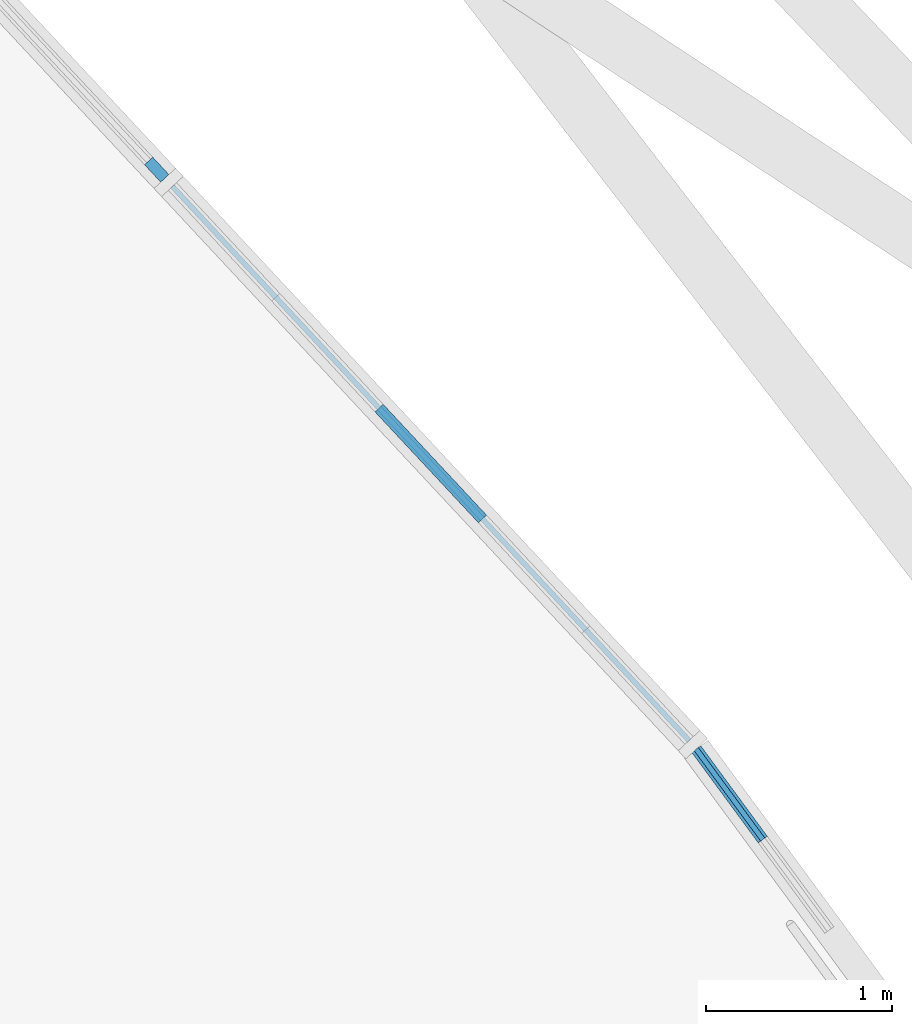
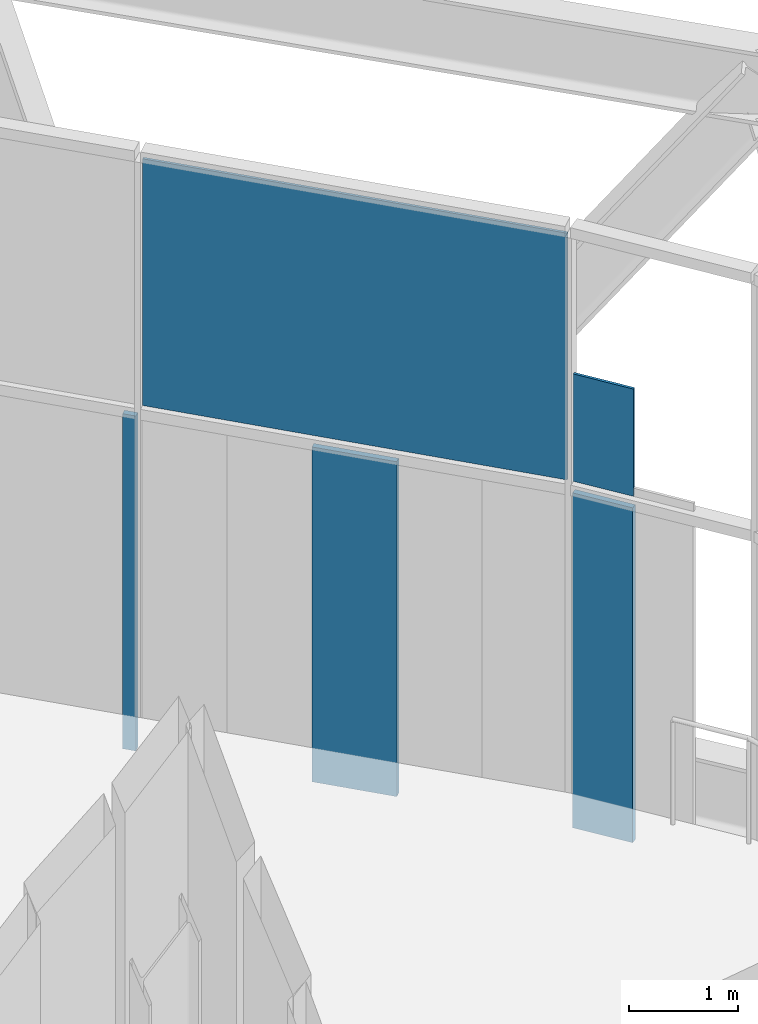
# One storey, part 14 of 25: 5 plates, 2 elements without a shape of their own.
"""IFC4 building model written with IfcOpenShell, lengths in metres."""

from ifc_helpers import new_model, si_unit, direction, frame, origin, origin_2d, place, context, subcontext, project, spatial, rectangle, extrude, material, layer, layer_set, type_object, element, aggregate, save


model = new_model("IFC4")

# Units and contexts
model_context = context("Model", 3, precision=1e-05, world=origin(), true_north=direction((0.0, 1.0)))
body_context = subcontext(model_context, "Body", "Model", "MODEL_VIEW")
ifc_project = project(units=[si_unit("LENGTHUNIT", "METRE"), si_unit("AREAUNIT", "SQUARE_METRE"), si_unit("VOLUMEUNIT", "CUBIC_METRE"), si_unit("PLANEANGLEUNIT", "RADIAN"), si_unit("MASSUNIT", "GRAM", prefix="KILO")], contexts=[model_context])

# Site, building, storey
site_placement = place(None, origin())
site = spatial("IfcSite", under=ifc_project, at=site_placement, CompositionType="ELEMENT")
building_placement = place(site_placement, origin())
building = spatial("IfcBuilding", under=site, at=building_placement, Name="Spindle Arch Residences", CompositionType="ELEMENT")
storey_placement = place(building_placement, frame((0.0, 0.0, 144.89990234375)))
storey = spatial("IfcBuildingStorey", under=building, at=storey_placement, Name="L36", CompositionType="ELEMENT", Elevation=144.89990234375)

# Curtain wall, plates
ifc_material_1 = material(Name="Aluminium bronze unitised frame with tinted glass", Category="aluminium")
ifc_layer_1 = layer(ifc_material_1, 0.159912109375)
ifc_layer_set_1 = layer_set([ifc_layer_1], Name="CW-E double-height winter garden wall")
curtain_wall_type = type_object("IfcCurtainWallType", Name="CW-E double-height winter garden wall", PredefinedType="NOTDEFINED", material=ifc_layer_set_1)
curtain_wall_1_placement = place(storey_placement, origin())
curtain_wall_1 = element("IfcCurtainWall", 1, at=curtain_wall_1_placement, inside=storey, type_object=curtain_wall_type, Name="CW-E L36 run 1", PredefinedType="NOTDEFINED")
ifc_material_2 = material(Name="Tinted laminated glass 28 mm", Category="glass")
ifc_layer_2 = layer(ifc_material_2, 0.028076171875)
ifc_layer_set_2 = layer_set([ifc_layer_2], Name="Tinted glass panel 28 mm")
plate_type_1 = type_object("IfcPlateType", Name="Tinted glass panel 28 mm", PredefinedType="CURTAIN_PANEL", material=ifc_layer_set_2)
plate_1_placement = place(storey_placement, frame((26.9365234375, -1.125732421875, 3.4599609375), z_axis=(0.0, 0.0, 1.0), x_axis=(-0.592481951039, 0.805583724819, 0.0)))
plate_1 = element("IfcPlate", 2, at=plate_1_placement, type_object=plate_type_1, Name="CW-E panel 05b.2", PredefinedType="CURTAIN_PANEL", context=body_context, shape_type="SweptSolid", body=[
    extrude(rectangle(XDim=0.60546875, YDim=0.028076171875, at=origin_2d()), origin(), (0.0, 0.0, 1.0), 1.204833984375),
])
plate_2_placement = place(storey_placement, frame((25.326416015625, 0.6572265625, 3.460205078125), z_axis=(0.0, 0.0, 1.0), x_axis=(-0.681998360062, 0.731353701619, 0.0)))
plate_2 = element("IfcPlate", 3, at=plate_2_placement, type_object=plate_type_1, Name="CW-E unit 06b", PredefinedType="CURTAIN_PANEL", context=body_context, shape_type="SweptSolid", body=[
    extrude(rectangle(XDim=4.08349609375, YDim=0.028076171875, at=origin_2d()), origin(), (0.0, 0.0, 1.0), 2.77001953125),
])
ifc_material_3 = material(Name="Tinted double glazing over aluminium faced non-combustible spandrel zone (K0)", Category="aluminium")
ifc_layer_3 = layer(ifc_material_3, 0.06005859375)
ifc_layer_set_3 = layer_set([ifc_layer_3], Name="Unitised glass panel with E 60 spandrel zone")
plate_type_2 = type_object("IfcPlateType", Name="Unitised glass panel with E 60 spandrel zone", PredefinedType="CURTAIN_PANEL", material=ifc_layer_set_3)
plate_3_placement = place(storey_placement, frame((26.9365234375, -1.125732421875, -0.419921875), z_axis=(0.0, 0.0, 1.0), x_axis=(-0.592481951039, 0.805583724819, 0.0)))
plate_3 = element("IfcPlate", 4, at=plate_3_placement, type_object=plate_type_2, Name="CW-E panel 05a.2", PredefinedType="CURTAIN_PANEL", context=body_context, shape_type="SweptSolid", body=[
    extrude(rectangle(XDim=0.60546875, YDim=0.06005859375, at=origin_2d()), origin(), (0.0, 0.0, 1.0), 3.760009765625),
])
plate_4_placement = place(storey_placement, frame((25.326416015625, 0.6572265625, -0.419921875), z_axis=(0.0, 0.0, 1.0), x_axis=(-0.681998360062, 0.731353701619, 0.0)))
plate_4 = element("IfcPlate", 5, at=plate_4_placement, type_object=plate_type_2, Name="CW-E panel 06a.3", PredefinedType="CURTAIN_PANEL", context=body_context, shape_type="SweptSolid", body=[
    extrude(rectangle(XDim=0.816650390625, YDim=0.06005859375, at=origin_2d()), origin(), (0.0, 0.0, 1.0), 3.760009765625),
])
aggregate(curtain_wall_1, [plate_3, plate_1, plate_4, plate_2])

# Curtain wall, plate
curtain_wall_2_placement = place(storey_placement, origin())
curtain_wall_2 = element("IfcCurtainWall", 6, at=curtain_wall_2_placement, inside=storey, type_object=curtain_wall_type, Name="CW-E L36 run 2", PredefinedType="NOTDEFINED")
plate_5_placement = place(storey_placement, frame((23.849365234375, 2.2412109375, -0.42138671875), z_axis=(0.0, 0.0, 1.0), x_axis=(-0.681998360062, 0.731353701619, 0.0)))
plate_5 = element("IfcPlate", 7, at=plate_5_placement, type_object=plate_type_2, Name="CW-E panel 05Aa.1", PredefinedType="CURTAIN_PANEL", context=body_context, shape_type="SweptSolid", body=[
    extrude(rectangle(XDim=0.128173828125, YDim=0.06005859375, at=origin_2d()), origin(), (0.0, 0.0, 1.0), 3.761474609375),
])
aggregate(curtain_wall_2, [plate_5])

save(model, "model.ifc")
